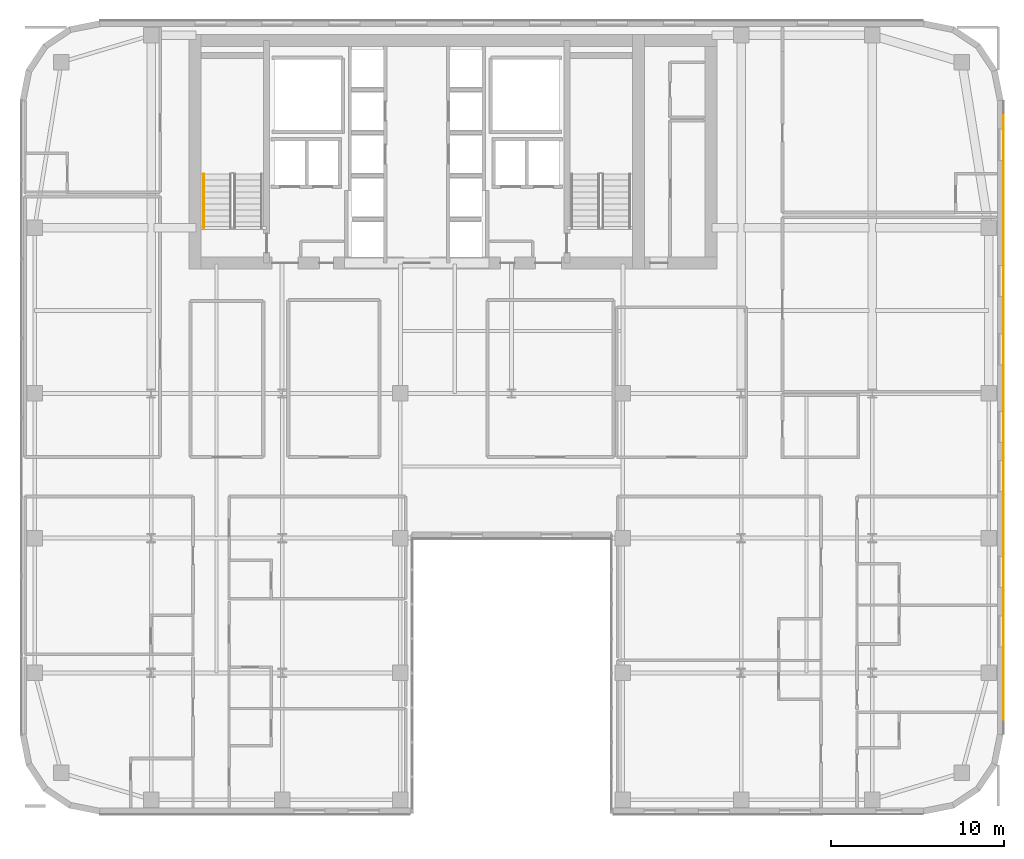
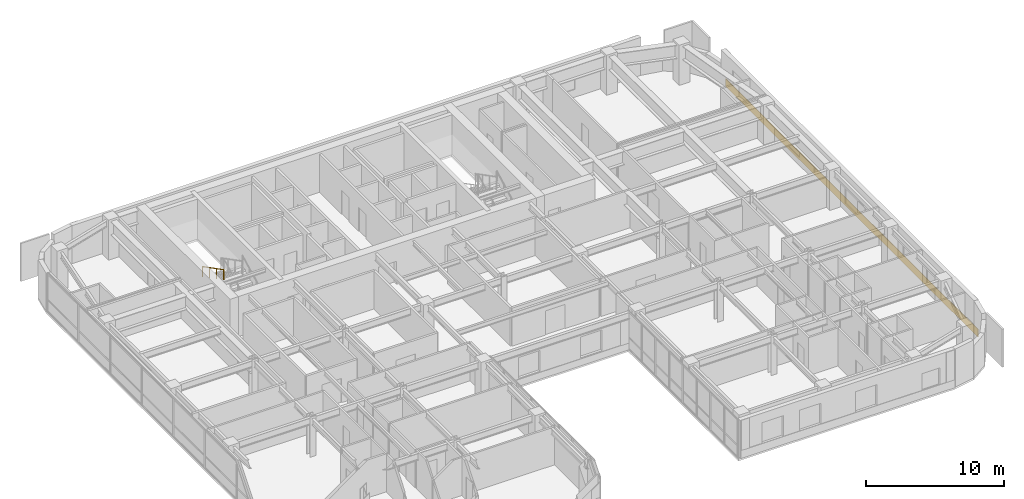
# One storey, part 34 of 37: 1 covering, 1 railing.
"""IFC4 building model written with IfcOpenShell, lengths in metres."""

import ifcopenshell
import ifcopenshell.guid

model = None  # the IFC model being written
_history = None  # IfcOwnerHistory: only IFC2X3 demands one
_inside = {}  # id of a spatial element -> (the spatial element, [elements in it])
_under = {}  # id of a project, library or spatial element -> (it, [spatial elements below it])
_declared = {}  # id of a project -> (the project, [libraries it declares])
_typed = {}  # id of a type object -> (the type object, [elements of that type])
_made_of = {}  # id of a material, layer set ... -> (it, [elements and type objects made of it])


def new_model(schema):
    """Start an empty IFC model of exactly this schema.

    Asked for "IFC4X3", IfcOpenShell would pick the latest addendum, in which some entities
    have other attributes; the version numbers below select the first issue.
    IFC2X3 requires an IfcOwnerHistory on every rooted entity: one is made here for all.
    """
    global model, _history
    if schema == "IFC4X3":
        model = ifcopenshell.file(schema_version=(4, 3, 0, 0))
    else:
        model = ifcopenshell.file(schema=schema)
    _inside.clear()
    _under.clear()
    _declared.clear()
    _typed.clear()
    _made_of.clear()
    _history = None
    if model.schema == "IFC2X3":
        org = make("IfcOrganization", Name="unknown")
        user = make(
            "IfcPersonAndOrganization",
            ThePerson=make("IfcPerson", FamilyName="unknown"),
            TheOrganization=org,
        )
        app = make(
            "IfcApplication",
            ApplicationDeveloper=org,
            Version="unknown",
            ApplicationFullName="unknown",
            ApplicationIdentifier="unknown",
        )
        _history = make(
            "IfcOwnerHistory",
            OwningUser=user,
            OwningApplication=app,
            ChangeAction="ADDED",
            CreationDate=0,
        )
    return model


def make(cls, **values):
    """One entity of the class cls with the attributes given. An attribute that is None is left unset."""
    return model.create_entity(
        cls, **{name: value for name, value in values.items() if value is not None}
    )


def rooted(cls, **values):
    """An entity with a GlobalId (a new one), such as an element, a storey or a relation."""
    return make(cls, GlobalId=ifcopenshell.guid.new(), OwnerHistory=_history, **values)


def si_unit(unit_type, name, prefix=None):
    """IfcSIUnit, for example si_unit("LENGTHUNIT", "METRE", prefix="MILLI")."""
    return make("IfcSIUnit", UnitType=unit_type, Prefix=prefix, Name=name)


def assignment(units):
    """IfcUnitAssignment: the units of a project."""
    return None if units is None else make("IfcUnitAssignment", Units=units)


def point(xyz):
    """IfcCartesianPoint."""
    return None if xyz is None else make("IfcCartesianPoint", Coordinates=xyz)


def direction(xyz):
    """IfcDirection."""
    return None if xyz is None else make("IfcDirection", DirectionRatios=xyz)


def frame(location, z_axis=None, x_axis=None):
    """IfcAxis2Placement3D, a coordinate frame: its origin and axes. An axis left out is left unset."""
    return make(
        "IfcAxis2Placement3D",
        Location=point(location),
        Axis=direction(z_axis),
        RefDirection=direction(x_axis),
    )


def frame_2d(location, x_axis=None):
    """IfcAxis2Placement2D, a coordinate frame in the plane: its origin and x axis."""
    return make(
        "IfcAxis2Placement2D", Location=point(location), RefDirection=direction(x_axis)
    )


def origin():
    """The frame at (0, 0, 0) with its axes left unset."""
    return frame((0.0, 0.0, 0.0))


def origin_2d():
    """The frame at (0, 0) in the plane with its x axis left unset."""
    return frame_2d((0.0, 0.0))


def place(relative_to, where):
    """IfcLocalPlacement: puts the frame where relative to a parent placement (None: the world)."""
    return make(
        "IfcLocalPlacement", PlacementRelTo=relative_to, RelativePlacement=where
    )


def context(
    kind, dimensions, precision=None, world=None, true_north=None, identifier=None
):
    """IfcGeometricRepresentationContext, for example the 3D "Model" context."""
    return make(
        "IfcGeometricRepresentationContext",
        ContextIdentifier=identifier,
        ContextType=kind,
        CoordinateSpaceDimension=dimensions,
        Precision=precision,
        WorldCoordinateSystem=world,
        TrueNorth=true_north,
    )


def subcontext(parent, identifier, kind, view, scale=None):
    """IfcGeometricRepresentationSubContext, for example "Body" below "Model"."""
    return make(
        "IfcGeometricRepresentationSubContext",
        ContextIdentifier=identifier,
        ContextType=kind,
        ParentContext=parent,
        TargetScale=scale,
        TargetView=view,
    )


def project(units=None, contexts=None):
    """IfcProject with its units and contexts."""
    return rooted(
        "IfcProject",
        Name="project",
        RepresentationContexts=contexts,
        UnitsInContext=assignment(units),
    )


def spatial(cls, under=None, at=None, **own):
    """A site, building, storey or space (cls), placed at a placement, below another one or the project."""
    s = rooted(cls, ObjectPlacement=at, **own)
    if under is not None:
        _under.setdefault(under.id(), (under, []))[1].append(s)
    return s


def polyline(points):
    """IfcPolyline through the points."""
    return make("IfcPolyline", Points=[point(p) for p in points])


def profile(cls, at=None, kind="AREA", **sizes):
    """A parametric profile (cls). Its sizes go by their IFC names, for example OverallWidth=200.0."""
    return make(cls, ProfileType=kind, Position=at, **sizes)


def circle(**sizes):
    """IfcCircleProfileDef."""
    return profile("IfcCircleProfileDef", **sizes)


def outline(outer, holes=None, kind="AREA"):
    """IfcArbitraryClosedProfileDef: a profile drawn as a closed curve; with holes, ...WithVoids."""
    if holes is None:
        return make("IfcArbitraryClosedProfileDef", ProfileType=kind, OuterCurve=outer)
    return make(
        "IfcArbitraryProfileDefWithVoids",
        ProfileType=kind,
        OuterCurve=outer,
        InnerCurves=holes,
    )


def extrude(swept, where, along, depth):
    """IfcExtrudedAreaSolid: the profile swept, set in the frame where, extruded along a direction by depth."""
    return make(
        "IfcExtrudedAreaSolid",
        SweptArea=swept,
        Position=where,
        ExtrudedDirection=direction(along),
        Depth=depth,
    )


def shape(context_of_items, identifier, shape_type, items):
    """IfcShapeRepresentation: the items that make up one representation, for example the "Body"."""
    return make(
        "IfcShapeRepresentation",
        ContextOfItems=context_of_items,
        RepresentationIdentifier=identifier,
        RepresentationType=shape_type,
        Items=items,
    )


def material(Name=None, Category=None):
    """IfcMaterial."""
    return make("IfcMaterial", Name=Name, Category=Category)


def layer(
    of_material, thickness, ventilated=None, Name=None, Category=None, Priority=None
):
    """IfcMaterialLayer: one layer of a wall or slab, of a material (None: an air gap)."""
    return make(
        "IfcMaterialLayer",
        Material=of_material,
        LayerThickness=thickness,
        IsVentilated=ventilated,
        Name=Name,
        Category=Category,
        Priority=Priority,
    )


def layer_set(layers, Name=None):
    """IfcMaterialLayerSet."""
    return make("IfcMaterialLayerSet", MaterialLayers=layers, LayerSetName=Name)


def made_of(thing, what):
    """Note that an element or type object is made of a material, layer set ...; save() writes the relation."""
    if what is not None:
        _made_of.setdefault(what.id(), (what, []))[1].append(thing)
    return thing


def type_object(cls, material=None, **own):
    """A type object (cls), such as IfcWallType, which elements share."""
    return made_of(rooted(cls, **own), material)


def element(
    cls,
    number,
    at=None,
    inside=None,
    cuts=None,
    type_object=None,
    material=None,
    context=None,
    identifier="Body",
    shape_type=None,
    held_by="IfcProductDefinitionShape",
    body=None,
    shapes=None,
    **own,
):
    """One element of the class cls, such as IfcWall. Its Tag is "e" and its number.

    at: its placement. inside: the storey or other place that contains it. cuts: it is an
    opening in that element (IfcRelVoidsElement). A single representation is given by context,
    identifier, shape_type and body (its items); several are given by shapes. held_by: the class
    of the entity that holds the representations. save() writes the other relations.
    """
    e = rooted(cls, Tag="e%d" % number, ObjectPlacement=at, **own)
    if body is not None:
        shapes = [shape(context, identifier, shape_type, body)]
    if shapes is not None:
        e.Representation = make(held_by, Representations=shapes)
    if inside is not None:
        _inside.setdefault(inside.id(), (inside, []))[1].append(e)
    if cuts is not None:
        rooted(
            "IfcRelVoidsElement", RelatingBuildingElement=cuts, RelatedOpeningElement=e
        )
    if type_object is not None:
        _typed.setdefault(type_object.id(), (type_object, []))[1].append(e)
    return made_of(e, material)


def aggregate(whole, parts):
    """IfcRelAggregates: a whole, such as a stair, and the parts it consists of."""
    return rooted("IfcRelAggregates", RelatingObject=whole, RelatedObjects=parts)


def save(model, path):
    """Write the relations noted so far, then the file.

    IfcRelAggregates (storeys below a building ...), IfcRelContainedInSpatialStructure (elements
    in a storey), IfcRelDefinesByType, IfcRelAssociatesMaterial and IfcRelDeclares: one each for
    every whole, place, type object, material and project.
    """
    for whole, parts in _under.values():
        aggregate(whole, parts)
    for where, things in _inside.values():
        rooted(
            "IfcRelContainedInSpatialStructure",
            RelatedElements=things,
            RelatingStructure=where,
        )
    for kind, things in _typed.values():
        rooted("IfcRelDefinesByType", RelatedObjects=things, RelatingType=kind)
    for what, things in _made_of.values():
        rooted("IfcRelAssociatesMaterial", RelatedObjects=things, RelatingMaterial=what)
    for by, libraries in _declared.values():
        rooted("IfcRelDeclares", RelatingContext=by, RelatedDefinitions=libraries)
    model.write(path)


model = new_model("IFC4")

# Units and contexts
model_context = context("Model", 3, precision=1e-05, world=origin(), true_north=direction((0.0, 1.0)))
body_context = subcontext(model_context, "Body", "Model", "MODEL_VIEW")
ifc_project = project(units=[si_unit("LENGTHUNIT", "METRE"), si_unit("AREAUNIT", "SQUARE_METRE"), si_unit("VOLUMEUNIT", "CUBIC_METRE"), si_unit("PLANEANGLEUNIT", "RADIAN"), si_unit("MASSUNIT", "GRAM", prefix="KILO")], contexts=[model_context])

# Site, building, storey
site_placement = place(None, origin())
site = spatial("IfcSite", under=ifc_project, at=site_placement, CompositionType="ELEMENT")
building_placement = place(site_placement, origin())
building = spatial("IfcBuilding", under=site, at=building_placement, Name="Tolvann Quenvar Hotel", CompositionType="ELEMENT")
storey_placement = place(building_placement, frame((0.0, 0.0, 104.449951171875)))
storey = spatial("IfcBuildingStorey", under=building, at=storey_placement, Name="L26", CompositionType="ELEMENT", Elevation=104.449951171875)

# Covering
ifc_material_1 = material(Name="Moulded buff architectural terracotta spandrel cladding", Category="masonry")
ifc_layer = layer(ifc_material_1, 0.0400390625)
ifc_layer_set = layer_set([ifc_layer], Name="Moulded buff architectural terracotta spandrel cladding")
covering_type = type_object("IfcCoveringType", Name="COV_CLAD_TERRA_40", PredefinedType="CLADDING", material=ifc_layer_set)
covering_placement = place(storey_placement, origin())
element("IfcCovering", 1, at=covering_placement, inside=storey, type_object=covering_type, Name="Terracotta Spandrel Cladding (L26-E13)", PredefinedType="CLADDING", context=body_context, shape_type="SweptSolid", body=[
    extrude(outline(polyline([(57.0, 4.6572265625), (57.0, 41.3427734375), (57.0400390625, 41.3427734375), (57.0400390625, 4.6572265625), (57.0, 4.6572265625)])), origin(), (0.0, 0.0, 1.0), 0.699951171875),
])

# Railing
ifc_material_2 = material(Name="Brushed 316 stainless steel balustrade and handrail", Category="steel")
railing_type = type_object("IfcRailingType", Name="HANDRAIL", PredefinedType="HANDRAIL", material=ifc_material_2)
railing_placement = place(storey_placement, frame((10.64990234375, 37.10498046875, 1.95263671875)))
element("IfcRailing", 2, at=railing_placement, inside=storey, type_object=railing_type, Name="L26 ST-C1 stair handrail 2", PredefinedType="HANDRAIL", context=body_context, shape_type="SweptSolid", body=[
    extrude(circle(Radius=0.02392578125, at=origin_2d()), frame((0.0, 0.0, 0.8759765625), z_axis=(0.0, -0.889221982265, 0.45747597342), x_axis=(1.0, 0.0, 0.0)), (0.0, 0.0, 1.0), 3.49169921875),
    extrude(circle(Radius=0.02099609375, at=origin_2d()), origin(), (0.0, 0.0, 1.0), 0.851806640625),
    extrude(circle(Radius=0.02099609375, at=origin_2d()), frame((0.0, -1.034912109375, 0.532470703125)), (0.0, 0.0, 1.0), 0.851806640625),
    extrude(circle(Radius=0.02099609375, at=origin_2d()), frame((0.0, -2.070068359375, 1.06494140625)), (0.0, 0.0, 1.0), 0.851806640625),
    extrude(circle(Radius=0.02099609375, at=origin_2d()), frame((0.0, -3.10498046875, 1.597412109375)), (0.0, 0.0, 1.0), 0.851806640625),
])

save(model, "model.ifc")
